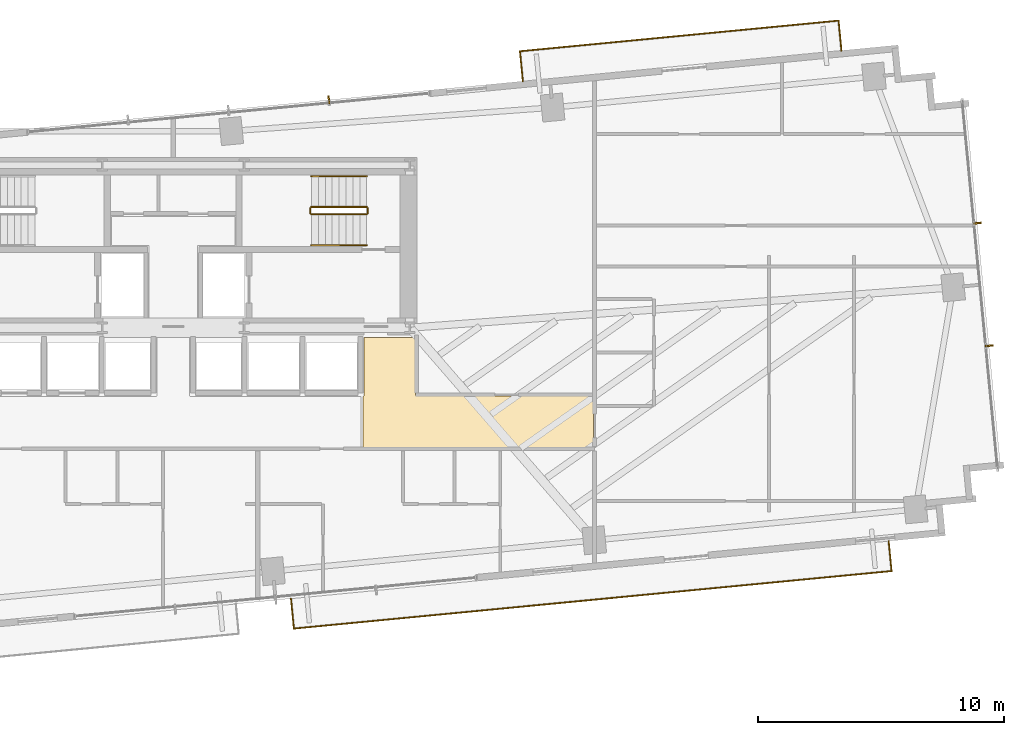
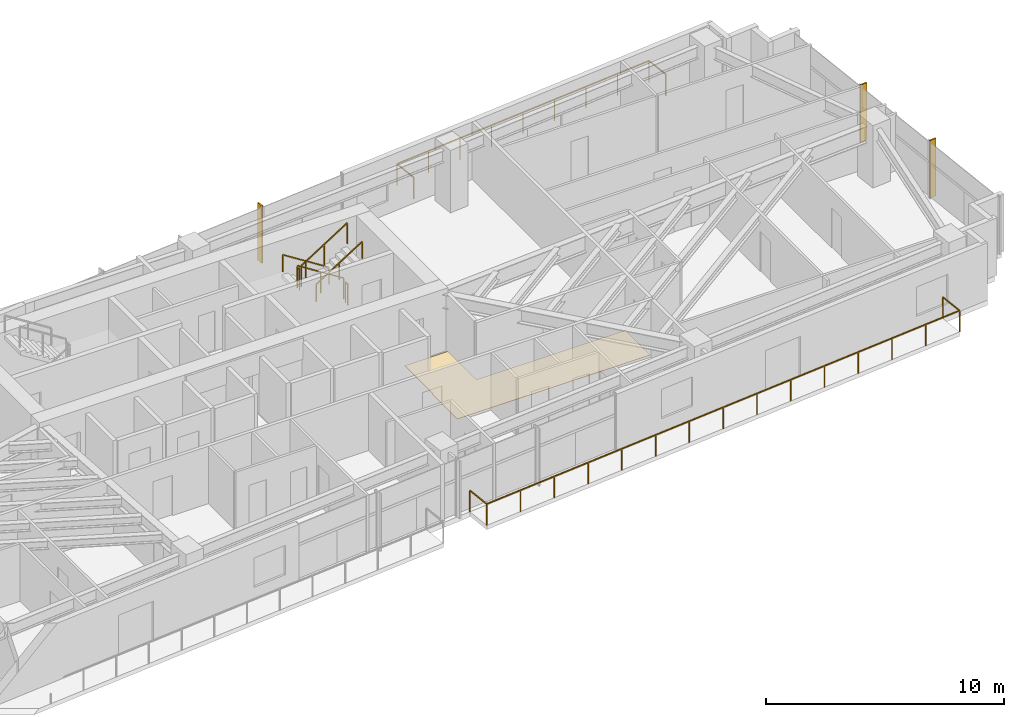
# One storey, part 27 of 27: 8 railings, 3 shading devices, 1 covering.
"""IFC4 building model written with IfcOpenShell, lengths in metres."""

from ifc_helpers import new_model, si_unit, direction, frame, origin, origin_2d, place, context, subcontext, project, spatial, polyline, rectangle, outline, extrude, source, transform, mapped, material, layer, layer_set, type_object, type_shapes, element, save


model = new_model("IFC4")

# Units and contexts
model_context = context("Model", 3, precision=1e-05, world=origin(), true_north=direction((0.0, 1.0)))
body_context = subcontext(model_context, "Body", "Model", "MODEL_VIEW")
ifc_project = project(units=[si_unit("LENGTHUNIT", "METRE"), si_unit("AREAUNIT", "SQUARE_METRE"), si_unit("VOLUMEUNIT", "CUBIC_METRE"), si_unit("PLANEANGLEUNIT", "RADIAN"), si_unit("MASSUNIT", "GRAM", prefix="KILO")], contexts=[model_context])

# Site, building, storey
site_placement = place(None, origin())
site = spatial("IfcSite", under=ifc_project, at=site_placement, CompositionType="ELEMENT")
building_placement = place(site_placement, origin())
building = spatial("IfcBuilding", under=site, at=building_placement, Name="Astriad Promenade Condominiums", CompositionType="ELEMENT")
storey_placement = place(building_placement, frame((0.0, 0.0, 87.39990234375)))
storey = spatial("IfcBuildingStorey", under=building, at=storey_placement, Name="L24", CompositionType="ELEMENT", Elevation=87.39990234375)

# Covering
ifc_material_1 = material(Name="Polished Lakefront Terrazzo Flooring")
ifc_layer = layer(ifc_material_1, 0.02001953125)
ifc_layer_set = layer_set([ifc_layer], Name="Polished Lakefront Terrazzo Flooring")
covering_type = type_object("IfcCoveringType", Name="COV-FLOR-TERRAZZO-20", PredefinedType="FLOORING", material=ifc_layer_set)
covering_placement = place(storey_placement, origin())
element("IfcCovering", 1, at=covering_placement, inside=storey, type_object=covering_type, Name="FLR-L24-COR-1", PredefinedType="FLOORING", context=body_context, shape_type="SweptSolid", body=[
    extrude(outline(polyline([(43.699951171875, 12.530029296875), (43.699951171875, 14.610107421875), (43.703857421875, 14.610107421875), (43.707763671875, 14.61083984375), (43.711669921875, 14.61181640625), (43.71533203125, 14.613037109375), (43.718994140625, 14.61474609375), (43.72216796875, 14.61669921875), (43.725341796875, 14.619140625), (43.728271484375, 14.62158203125), (43.73095703125, 14.62451171875), (43.7333984375, 14.627685546875), (43.7353515625, 14.631103515625), (43.737060546875, 14.634765625), (43.73828125, 14.638427734375), (43.7392578125, 14.64208984375), (43.73974609375, 14.64599609375), (43.739990234375, 14.64990234375), (43.739990234375, 17.010009765625), (45.840087890625, 17.010009765625), (45.840087890625, 14.659912109375), (45.840087890625, 14.656005859375), (45.8408203125, 14.652099609375), (45.841796875, 14.6484375), (45.843017578125, 14.644775390625), (45.8447265625, 14.64111328125), (45.8466796875, 14.6376953125), (45.84912109375, 14.634521484375), (45.851806640625, 14.631591796875), (45.8544921875, 14.629150390625), (45.85791015625, 14.626708984375), (45.861083984375, 14.624755859375), (45.86474609375, 14.623046875), (45.868408203125, 14.62158203125), (45.872314453125, 14.620849609375), (45.876220703125, 14.6201171875), (45.8798828125, 14.6201171875), (53.06005859375, 14.6201171875), (53.06005859375, 12.530029296875), (43.699951171875, 12.530029296875)])), origin(), (0.0, 0.0, 1.0), 0.02001953125),
])

# Shading devices
ifc_material_2 = material(Name="Anodised aluminium 6063-T6 Black Fin", Category="aluminium")
shading_device_type = type_object("IfcShadingDeviceType", Name="FIN-BLACK-320", PredefinedType="USERDEFINED", material=ifc_material_2)
shared_shape_1 = source(origin(), body_context, "Body", "SweptSolid", [
    extrude(rectangle(XDim=0.06494140625, YDim=0.320068359375, at=origin_2d()), origin(), (0.0, 0.0, 1.0), 2.93994140625),
])
type_shapes(shading_device_type, [shared_shape_1])
for number, where, z_axis, x_axis, name in (
    (2, (42.31689453125, 26.656494140625, 0.000244140625), (0.0, 0.0, 1.0), (0.995396198367, 0.09584575252, 0.0), "CW-L24-N-FIN-03"),
    (3, (68.63330078125, 21.6455078125, 0.000244140625), (0.0, 0.0, 1.0), (0.09584575252, -0.995396198367, 0.0), "CW-L24-E-FIN-01"),
    (4, (69.1123046875, 16.668701171875, 0.000244140625), (0.0, 0.0, 1.0), (0.09584575252, -0.995396198367, 0.0), "CW-L24-E-FIN-02"),
):
    element("IfcShadingDevice", number, at=place(storey_placement, frame(where, z_axis=z_axis, x_axis=x_axis)), inside=storey, type_object=shading_device_type, Name=name, ObjectType="FIN", PredefinedType="USERDEFINED", context=body_context, shape_type="MappedRepresentation", body=[
        mapped(shared_shape_1, transform((0.0, 0.0, 0.0), scale=1.0)),
    ])

# Railings
ifc_material_3 = material(Name="Laminated Glass and Stainless Steel Balustrade", Category="steel")
railing_type_1 = type_object("IfcRailingType", Name="GRD-BALC-1120", PredefinedType="BALUSTRADE", material=ifc_material_3)
shared_shape_2 = source(origin(), body_context, "Body", "SweptSolid", [
    extrude(rectangle(XDim=0.048095703125, YDim=0.048095703125, at=origin_2d()), frame((0.0, 0.0, 1.09619140625), z_axis=(0.095857307208, -0.99539508571, 0.0), x_axis=(0.99539508571, 0.095857307208, 0.0)), (0.0, 0.0, 1.0), 1.219970703125),
    extrude(rectangle(XDim=0.048095703125, YDim=0.048095703125, at=origin_2d()), frame((0.116943359375, -1.21435546875, 1.09619140625), z_axis=(0.995396904963, 0.095838413955, 0.0), x_axis=(-0.095838413955, 0.995396904963, 0.0)), (0.0, 0.0, 1.0), 24.365966796875),
    extrude(rectangle(XDim=0.048095703125, YDim=0.048095703125, at=origin_2d()), frame((24.370849609375, 1.120849609375, 1.09619140625), z_axis=(-0.0958382164, 0.995396923984, 0.0), x_axis=(-0.995396923984, -0.0958382164, 0.0)), (0.0, 0.0, 1.0), 1.22021484375),
    extrude(rectangle(XDim=0.0419921875, YDim=0.0419921875, at=origin_2d()), origin(), (0.0, 0.0, 1.0), 1.072021484375),
    extrude(rectangle(XDim=0.0419921875, YDim=0.0419921875, at=origin_2d()), frame((0.116943359375, -1.21435546875, 0.0)), (0.0, 0.0, 1.0), 1.072021484375),
    extrude(rectangle(XDim=0.0419921875, YDim=0.0419921875, at=origin_2d()), frame((1.849365234375, -1.047607421875, 0.0)), (0.0, 0.0, 1.0), 1.072021484375),
    extrude(rectangle(XDim=0.0419921875, YDim=0.0419921875, at=origin_2d()), frame((3.581787109375, -0.880859375, 0.0)), (0.0, 0.0, 1.0), 1.072021484375),
    extrude(rectangle(XDim=0.0419921875, YDim=0.0419921875, at=origin_2d()), frame((5.314208984375, -0.7138671875, 0.0)), (0.0, 0.0, 1.0), 1.072021484375),
    extrude(rectangle(XDim=0.0419921875, YDim=0.0419921875, at=origin_2d()), frame((7.046630859375, -0.547119140625, 0.0)), (0.0, 0.0, 1.0), 1.072021484375),
    extrude(rectangle(XDim=0.0419921875, YDim=0.0419921875, at=origin_2d()), frame((8.779052734375, -0.38037109375, 0.0)), (0.0, 0.0, 1.0), 1.072021484375),
    extrude(rectangle(XDim=0.0419921875, YDim=0.0419921875, at=origin_2d()), frame((10.511474609375, -0.213623046875, 0.0)), (0.0, 0.0, 1.0), 1.072021484375),
    extrude(rectangle(XDim=0.0419921875, YDim=0.0419921875, at=origin_2d()), frame((12.243896484375, -0.046875, 0.0)), (0.0, 0.0, 1.0), 1.072021484375),
    extrude(rectangle(XDim=0.0419921875, YDim=0.0419921875, at=origin_2d()), frame((13.976318359375, 0.1201171875, 0.0)), (0.0, 0.0, 1.0), 1.072021484375),
    extrude(rectangle(XDim=0.0419921875, YDim=0.0419921875, at=origin_2d()), frame((15.708740234375, 0.286865234375, 0.0)), (0.0, 0.0, 1.0), 1.072021484375),
    extrude(rectangle(XDim=0.0419921875, YDim=0.0419921875, at=origin_2d()), frame((17.441162109375, 0.45361328125, 0.0)), (0.0, 0.0, 1.0), 1.072021484375),
    extrude(rectangle(XDim=0.0419921875, YDim=0.0419921875, at=origin_2d()), frame((19.173583984375, 0.620361328125, 0.0)), (0.0, 0.0, 1.0), 1.072021484375),
    extrude(rectangle(XDim=0.0419921875, YDim=0.0419921875, at=origin_2d()), frame((20.906005859375, 0.787353515625, 0.0)), (0.0, 0.0, 1.0), 1.072021484375),
    extrude(rectangle(XDim=0.0419921875, YDim=0.0419921875, at=origin_2d()), frame((22.638427734375, 0.9541015625, 0.0)), (0.0, 0.0, 1.0), 1.072021484375),
    extrude(rectangle(XDim=0.0419921875, YDim=0.0419921875, at=origin_2d()), frame((24.370849609375, 1.120849609375, 0.0)), (0.0, 0.0, 1.0), 1.072021484375),
    extrude(rectangle(XDim=0.0419921875, YDim=0.0419921875, at=origin_2d()), frame((24.25390625, 2.33544921875, 0.0)), (0.0, 0.0, 1.0), 1.072021484375),
])
railing_1_placement = place(storey_placement, frame((40.778564453125, 6.40576171875, 0.0)))
element("IfcRailing", 5, at=railing_1_placement, inside=storey, type_object=railing_type_1, Name="GRD-BALC-L24-SE", PredefinedType="BALUSTRADE", context=body_context, shape_type="MappedRepresentation", body=[
    mapped(shared_shape_2, transform((0.0, 0.0, 0.0), scale=1.0)),
])
shared_shape_3 = source(origin(), body_context, "Body", "SweptSolid", [
    extrude(rectangle(XDim=0.048095703125, YDim=0.048095703125, at=origin_2d()), frame((0.0, 0.0, 1.09619140625), z_axis=(-0.095876405589, 0.995393246336, 0.0), x_axis=(-0.995393246336, -0.095876405589, 0.0)), (0.0, 0.0, 1.0), 1.2197265625),
    extrude(rectangle(XDim=0.048095703125, YDim=0.048095703125, at=origin_2d()), frame((-0.116943359375, 1.214111328125, 1.09619140625), z_axis=(-0.995396692233, -0.095840623394, 0.0), x_axis=(0.095840623394, -0.995396692233, 0.0)), (0.0, 0.0, 1.0), 12.989013671875),
    extrude(rectangle(XDim=0.048095703125, YDim=0.048095703125, at=origin_2d()), frame((-13.046142578125, -0.03076171875, 1.09619140625), z_axis=(0.095857307208, -0.99539508571, 0.0), x_axis=(0.99539508571, 0.095857307208, 0.0)), (0.0, 0.0, 1.0), 1.219970703125),
    extrude(rectangle(XDim=0.0419921875, YDim=0.0419921875, at=origin_2d()), origin(), (0.0, 0.0, 1.0), 1.072021484375),
    extrude(rectangle(XDim=0.0419921875, YDim=0.0419921875, at=origin_2d()), frame((-0.116943359375, 1.214111328125, 0.0)), (0.0, 0.0, 1.0), 1.072021484375),
    extrude(rectangle(XDim=0.0419921875, YDim=0.0419921875, at=origin_2d()), frame((-1.733154296875, 1.05859375, 0.0)), (0.0, 0.0, 1.0), 1.072021484375),
    extrude(rectangle(XDim=0.0419921875, YDim=0.0419921875, at=origin_2d()), frame((-3.34912109375, 0.90283203125, 0.0)), (0.0, 0.0, 1.0), 1.072021484375),
    extrude(rectangle(XDim=0.0419921875, YDim=0.0419921875, at=origin_2d()), frame((-4.96533203125, 0.747314453125, 0.0)), (0.0, 0.0, 1.0), 1.072021484375),
    extrude(rectangle(XDim=0.0419921875, YDim=0.0419921875, at=origin_2d()), frame((-6.58154296875, 0.591796875, 0.0)), (0.0, 0.0, 1.0), 1.072021484375),
    extrude(rectangle(XDim=0.0419921875, YDim=0.0419921875, at=origin_2d()), frame((-8.19775390625, 0.43603515625, 0.0)), (0.0, 0.0, 1.0), 1.072021484375),
    extrude(rectangle(XDim=0.0419921875, YDim=0.0419921875, at=origin_2d()), frame((-9.81396484375, 0.280517578125, 0.0)), (0.0, 0.0, 1.0), 1.072021484375),
    extrude(rectangle(XDim=0.0419921875, YDim=0.0419921875, at=origin_2d()), frame((-11.429931640625, 0.124755859375, 0.0)), (0.0, 0.0, 1.0), 1.072021484375),
    extrude(rectangle(XDim=0.0419921875, YDim=0.0419921875, at=origin_2d()), frame((-13.046142578125, -0.03076171875, 0.0)), (0.0, 0.0, 1.0), 1.072021484375),
    extrude(rectangle(XDim=0.0419921875, YDim=0.0419921875, at=origin_2d()), frame((-12.92919921875, -1.2451171875, 0.0)), (0.0, 0.0, 1.0), 1.072021484375),
])
type_shapes(railing_type_1, [shared_shape_2, shared_shape_3])
railing_2_placement = place(storey_placement, frame((63.115478515625, 28.649169921875, 0.0)))
element("IfcRailing", 6, at=railing_2_placement, inside=storey, type_object=railing_type_1, Name="GRD-BALC-L24-NE", PredefinedType="BALUSTRADE", context=body_context, shape_type="MappedRepresentation", body=[
    mapped(shared_shape_3, transform((0.0, 0.0, 0.0), scale=1.0)),
])
ifc_material_4 = material(Name="Painted Galvanised Steel Guardrail", Category="steel")
railing_type_2 = type_object("IfcRailingType", Name="GRD-STAIR-1100", PredefinedType="GUARDRAIL", material=ifc_material_4)
shared_shape_4 = source(origin(), body_context, "Body", "SweptSolid", [
    extrude(rectangle(XDim=0.048095703125, YDim=0.048095703125, at=origin_2d()), frame((0.0, 0.0, 1.076171875), z_axis=(0.84418770128, 0.0, 0.536047689118), x_axis=(0.0, 1.0, 0.0)), (0.0, 0.0, 1.0), 2.6533203125),
    extrude(rectangle(XDim=0.0419921875, YDim=0.0419921875, at=origin_2d()), origin(), (0.0, 0.0, 1.0), 1.052001953125),
    extrude(rectangle(XDim=0.0419921875, YDim=0.0419921875, at=origin_2d()), frame((1.1201171875, 0.0, 0.711181640625)), (0.0, 0.0, 1.0), 1.052001953125),
    extrude(rectangle(XDim=0.0419921875, YDim=0.0419921875, at=origin_2d()), frame((2.239990234375, 0.0, 1.42236328125)), (0.0, 0.0, 1.0), 1.052001953125),
])
railing_3_placement = place(storey_placement, frame((41.610107421875, 22.0, 1.77783203125)))
element("IfcRailing", 7, at=railing_3_placement, inside=storey, type_object=railing_type_2, Name="L24 ST-2 stair guard 3", PredefinedType="GUARDRAIL", context=body_context, shape_type="MappedRepresentation", body=[
    mapped(shared_shape_4, transform((0.0, 0.0, 0.0), scale=1.0)),
])
shared_shape_5 = source(origin(), body_context, "Body", "SweptSolid", [
    extrude(rectangle(XDim=0.048095703125, YDim=0.048095703125, at=origin_2d()), frame((0.0, 0.0, 1.076171875), z_axis=(-0.8442293374, 0.0, 0.53598211339), x_axis=(0.0, -1.0, 0.0)), (0.0, 0.0, 1.0), 2.6533203125),
    extrude(rectangle(XDim=0.0419921875, YDim=0.0419921875, at=origin_2d()), origin(), (0.0, 0.0, 1.0), 1.052001953125),
    extrude(rectangle(XDim=0.0419921875, YDim=0.0419921875, at=origin_2d()), frame((-1.1201171875, 0.0, 0.7109375)), (0.0, 0.0, 1.0), 1.052001953125),
    extrude(rectangle(XDim=0.0419921875, YDim=0.0419921875, at=origin_2d()), frame((-2.239990234375, 0.0, 1.422119140625)), (0.0, 0.0, 1.0), 1.052001953125),
])
railing_4_placement = place(storey_placement, frame((43.85009765625, 22.300048828125, 0.177978515625)))
element("IfcRailing", 8, at=railing_4_placement, inside=storey, type_object=railing_type_2, Name="L24 ST-2 stair guard 1", PredefinedType="GUARDRAIL", context=body_context, shape_type="MappedRepresentation", body=[
    mapped(shared_shape_5, transform((0.0, 0.0, 0.0), scale=1.0)),
])
ifc_material_5 = material(Name="Brushed Stainless Steel Handrail", Category="steel")
railing_type_3 = type_object("IfcRailingType", Name="HRL-STAIR-920", PredefinedType="HANDRAIL", material=ifc_material_5)
shared_shape_6 = source(origin(), body_context, "Body", "SweptSolid", [
    extrude(rectangle(XDim=0.048095703125, YDim=0.048095703125, at=origin_2d()), frame((0.0, 0.0, 0.8759765625), z_axis=(0.84418770128, 0.0, 0.536047689118), x_axis=(0.0, 1.0, 0.0)), (0.0, 0.0, 1.0), 2.6533203125),
    extrude(rectangle(XDim=0.0419921875, YDim=0.0419921875, at=origin_2d()), origin(), (0.0, 0.0, 1.0), 0.851806640625),
    extrude(rectangle(XDim=0.0419921875, YDim=0.0419921875, at=origin_2d()), frame((1.1201171875, 0.0, 0.711181640625)), (0.0, 0.0, 1.0), 0.851806640625),
    extrude(rectangle(XDim=0.0419921875, YDim=0.0419921875, at=origin_2d()), frame((2.239990234375, 0.0, 1.42236328125)), (0.0, 0.0, 1.0), 0.851806640625),
])
railing_5_placement = place(storey_placement, frame((41.610107421875, 20.75, 1.77783203125)))
element("IfcRailing", 9, at=railing_5_placement, inside=storey, type_object=railing_type_3, Name="L24 ST-2 stair handrail 2", PredefinedType="HANDRAIL", context=body_context, shape_type="MappedRepresentation", body=[
    mapped(shared_shape_6, transform((0.0, 0.0, 0.0), scale=1.0)),
])
shared_shape_7 = source(origin(), body_context, "Body", "SweptSolid", [
    extrude(rectangle(XDim=0.048095703125, YDim=0.048095703125, at=origin_2d()), frame((0.0, 0.0, 0.8759765625), z_axis=(-0.8442293374, 0.0, 0.53598211339), x_axis=(0.0, -1.0, 0.0)), (0.0, 0.0, 1.0), 2.6533203125),
    extrude(rectangle(XDim=0.0419921875, YDim=0.0419921875, at=origin_2d()), origin(), (0.0, 0.0, 1.0), 0.851806640625),
    extrude(rectangle(XDim=0.0419921875, YDim=0.0419921875, at=origin_2d()), frame((-1.1201171875, 0.0, 0.7109375)), (0.0, 0.0, 1.0), 0.851806640625),
    extrude(rectangle(XDim=0.0419921875, YDim=0.0419921875, at=origin_2d()), frame((-2.239990234375, 0.0, 1.422119140625)), (0.0, 0.0, 1.0), 0.851806640625),
])
type_shapes(railing_type_3, [shared_shape_6, shared_shape_7])
railing_6_placement = place(storey_placement, frame((43.85009765625, 23.550048828125, 0.177978515625)))
element("IfcRailing", 10, at=railing_6_placement, inside=storey, type_object=railing_type_3, Name="L24 ST-2 stair handrail 1", PredefinedType="HANDRAIL", context=body_context, shape_type="MappedRepresentation", body=[
    mapped(shared_shape_7, transform((0.0, 0.0, 0.0), scale=1.0)),
])
shared_shape_8 = source(origin(), body_context, "Body", "SweptSolid", [
    extrude(rectangle(XDim=0.048095703125, YDim=0.048095703125, at=origin_2d()), frame((0.0, 0.0, 1.076171875), z_axis=(0.0, -1.0, 0.0), x_axis=(1.0, 0.0, 0.0)), (0.0, 0.0, 1.0), 0.199951171875),
    extrude(rectangle(XDim=0.0419921875, YDim=0.0419921875, at=origin_2d()), origin(), (0.0, 0.0, 1.0), 1.052001953125),
    extrude(rectangle(XDim=0.0419921875, YDim=0.0419921875, at=origin_2d()), frame((0.0, -0.199951171875, 0.0)), (0.0, 0.0, 1.0), 1.052001953125),
])
type_shapes(railing_type_2, [shared_shape_4, shared_shape_5, shared_shape_8])
for number, where, name in (
    (11, (41.56005859375, 22.25, 1.60009765625), "L24 ST-2 stair guard 2"),
    (12, (43.89990234375, 22.25, 0.0), "L24 ST-2 stair guard 4"),
):
    element("IfcRailing", number, at=place(storey_placement, frame(where)), inside=storey, type_object=railing_type_2, Name=name, PredefinedType="GUARDRAIL", context=body_context, shape_type="MappedRepresentation", body=[
        mapped(shared_shape_8, transform((0.0, 0.0, 0.0), scale=1.0)),
    ])

save(model, "model.ifc")
